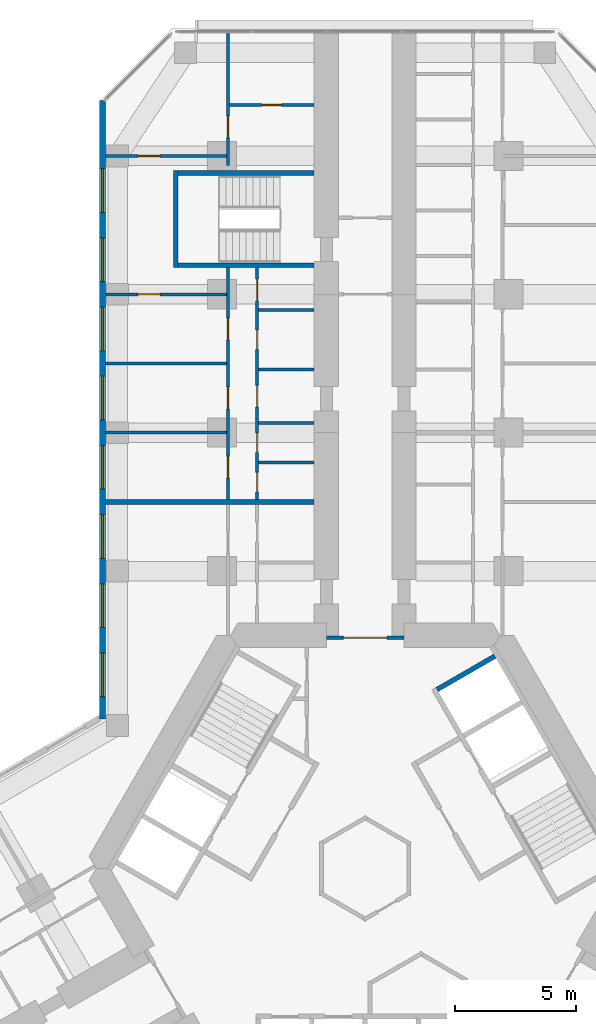
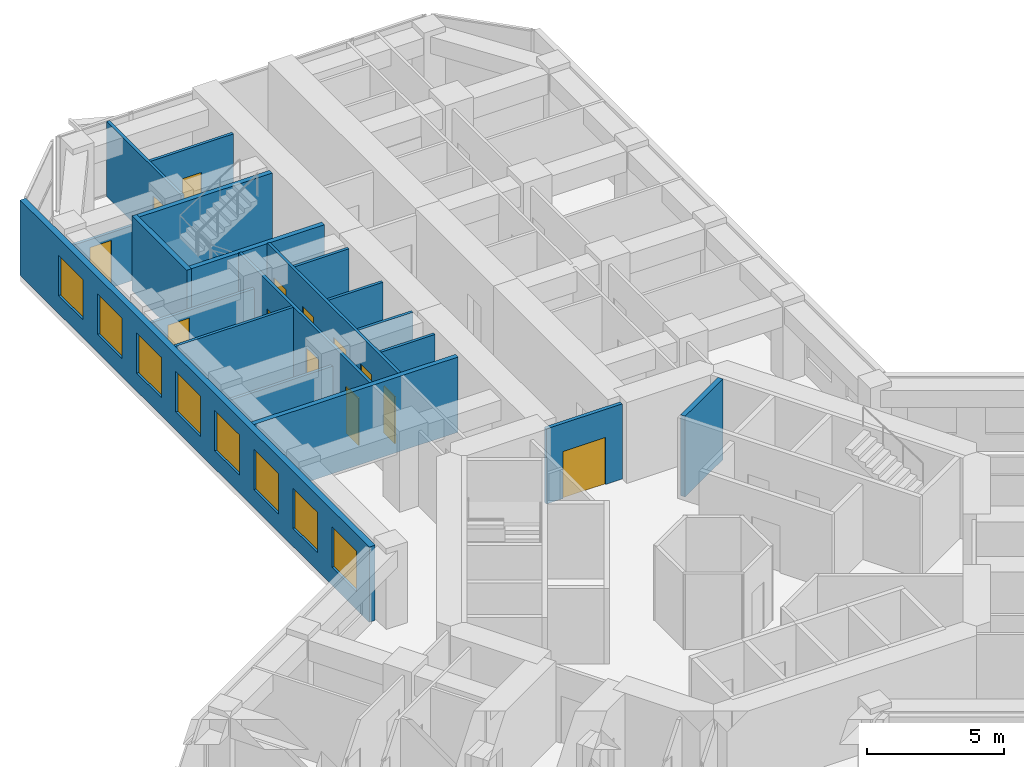
# One storey, part 18 of 22: 19 walls, 13 doors, 8 windows, 21 openings.
"""IFC4 building model written with IfcOpenShell, lengths in metres."""

from ifc_helpers import new_model, si_unit, direction, frame, frame_2d, origin, place, context, subcontext, project, spatial, rectangle, extrude, material, layer, layer_set, type_object, element, fill, save


model = new_model("IFC4")

# Units and contexts
model_context = context("Model", 3, precision=1e-05, world=origin(), true_north=direction((0.0, 1.0)))
body_context = subcontext(model_context, "Body", "Model", "MODEL_VIEW")
ifc_project = project(units=[si_unit("LENGTHUNIT", "METRE"), si_unit("AREAUNIT", "SQUARE_METRE"), si_unit("VOLUMEUNIT", "CUBIC_METRE"), si_unit("PLANEANGLEUNIT", "RADIAN"), si_unit("MASSUNIT", "GRAM", prefix="KILO")], contexts=[model_context])

# Site, building, storey
site_placement = place(None, origin())
site = spatial("IfcSite", under=ifc_project, at=site_placement, CompositionType="ELEMENT")
building_placement = place(site_placement, origin())
building = spatial("IfcBuilding", under=site, at=building_placement, Name="Kosmar Iwan School Tower", CompositionType="ELEMENT")
storey_placement = place(building_placement, frame((0.0, 0.0, 91.60009765625)))
storey = spatial("IfcBuildingStorey", under=building, at=storey_placement, Name="L22", CompositionType="ELEMENT", Elevation=91.60009765625)

# Wall, opening, door
ifc_material_1 = material(Name="Steel framed glazed screen", Category="steel")
ifc_layer_1 = layer(ifc_material_1, 0.14990234375)
ifc_layer_set_1 = layer_set([ifc_layer_1], Name="Corridor screen wall 150")
wall_type_1 = type_object("IfcWallType", Name="Corridor screen wall 150", PredefinedType="PARTITIONING", material=ifc_layer_set_1)
wall_1_placement = place(storey_placement, frame((1.60009765625, 9.5, 0.0), z_axis=(0.0, 0.0, 1.0), x_axis=(-1.0, 0.0, 0.0)))
wall_1 = element("IfcWall", 1, at=wall_1_placement, inside=storey, type_object=wall_type_1, Name="Corridor screen A L22", PredefinedType="PARTITIONING", context=body_context, shape_type="SweptSolid", body=[
    extrude(rectangle(XDim=3.2001953125, YDim=0.14990234375, at=frame_2d((1.60009765625, 0.0))), origin(), (0.0, 0.0, 1.0), 3.349853515625),
])
opening_1_placement = place(wall_1_placement, frame((0.699951171875, 0.0, 0.0)))
opening_1 = element("IfcOpeningElement", 2, at=opening_1_placement, cuts=wall_1, Name="Opening D9", PredefinedType="OPENING", context=body_context, shape_type="SweptSolid", body=[
    extrude(rectangle(XDim=1.800048828125, YDim=2.10009765625, at=frame_2d((0.89990234375, 1.050048828125))), frame((0.0, 0.0869140625, 0.0), z_axis=(0.0, -1.0, 0.0), x_axis=(1.0, 0.0, 0.0)), (0.0, 0.0, 1.0), 0.173828125),
])
ifc_material_2 = material(Name="Steel framed glazed smoke door", Category="steel")
door_type_1 = type_object("IfcDoorType", Name="Corridor smoke door pair 1800x2100", OperationType="DOUBLE_DOOR_DOUBLE_SWING", PredefinedType="DOOR", material=ifc_material_2)
door_1_placement = place(opening_1_placement, origin())
door_1 = element("IfcDoor", 3, at=door_1_placement, inside=storey, type_object=door_type_1, Name="Corridor doors A L22", OperationType="DOUBLE_DOOR_DOUBLE_SWING", OverallHeight=2.10009765625, OverallWidth=1.800048828125, PredefinedType="DOOR", context=body_context, shape_type="SweptSolid", body=[
    extrude(rectangle(XDim=1.800048828125, YDim=2.10009765625, at=frame_2d((0.89990234375, 1.050048828125))), frame((0.0, 0.02490234375, 0.0), z_axis=(0.0, -1.0, 0.0), x_axis=(1.0, 0.0, 0.0)), (0.0, 0.0, 1.0), 0.050048828125),
])
fill(opening_1, door_1)

# Wall, openings, doors
ifc_material_3 = material(Name="Gypsum board on steel studs", Category="steel")
ifc_layer_2 = layer(ifc_material_3, 0.1201171875)
ifc_layer_set_2 = layer_set([ifc_layer_2], Name="Dwelling partition 120")
wall_type_2 = type_object("IfcWallType", Name="Dwelling partition 120", PredefinedType="PARTITIONING", material=ifc_layer_set_2)
wall_2_placement = place(storey_placement, frame((-4.449951171875, 15.199951171875, 0.0), z_axis=(0.0, 0.0, 1.0), x_axis=(0.0, 1.0, 0.0)))
wall_2 = element("IfcWall", 4, at=wall_2_placement, inside=storey, type_object=wall_type_2, Name="Partition L22-AL2-W1", PredefinedType="PARTITIONING", context=body_context, shape_type="SweptSolid", body=[
    extrude(rectangle(XDim=9.550048828125, YDim=0.1201171875, at=frame_2d((4.77490234375, 0.0))), origin(), (0.0, 0.0, 1.0), 3.349853515625),
])
opening_2_placement = place(wall_2_placement, frame((0.3125, 0.0, 0.0)))
opening_2 = element("IfcOpeningElement", 5, at=opening_2_placement, cuts=wall_2, Name="Opening D3", PredefinedType="OPENING", context=body_context, shape_type="SweptSolid", body=[
    extrude(rectangle(XDim=0.800048828125, YDim=2.10009765625, at=frame_2d((0.39990234375, 1.050048828125))), frame((0.0, 0.072021484375, 0.0), z_axis=(0.0, -1.0, 0.0), x_axis=(1.0, 0.0, 0.0)), (0.0, 0.0, 1.0), 0.14404296875),
])
opening_3_placement = place(wall_2_placement, frame((1.9375, 0.0, 0.0)))
opening_3 = element("IfcOpeningElement", 6, at=opening_3_placement, cuts=wall_2, Name="Opening D3", PredefinedType="OPENING", context=body_context, shape_type="SweptSolid", body=[
    extrude(rectangle(XDim=0.800048828125, YDim=2.10009765625, at=frame_2d((0.39990234375, 1.050048828125))), frame((0.0, 0.072021484375, 0.0), z_axis=(0.0, -1.0, 0.0), x_axis=(1.0, 0.0, 0.0)), (0.0, 0.0, 1.0), 0.14404296875),
])
opening_4_placement = place(wall_2_placement, frame((3.800048828125, 0.0, 0.0)))
opening_4 = element("IfcOpeningElement", 7, at=opening_4_placement, cuts=wall_2, Name="Opening D2", PredefinedType="OPENING", context=body_context, shape_type="SweptSolid", body=[
    extrude(rectangle(XDim=0.89990234375, YDim=2.10009765625, at=frame_2d((0.449951171875, 1.050048828125))), frame((0.0, 0.072021484375, 0.0), z_axis=(0.0, -1.0, 0.0), x_axis=(1.0, 0.0, 0.0)), (0.0, 0.0, 1.0), 0.14404296875),
])
opening_5_placement = place(wall_2_placement, frame((6.179931640625, 0.0, 0.0)))
opening_5 = element("IfcOpeningElement", 8, at=opening_5_placement, cuts=wall_2, Name="Opening D3", PredefinedType="OPENING", context=body_context, shape_type="SweptSolid", body=[
    extrude(rectangle(XDim=0.800048828125, YDim=2.10009765625, at=frame_2d((0.39990234375, 1.050048828125))), frame((0.0, 0.072021484375, 0.0), z_axis=(0.0, -1.0, 0.0), x_axis=(1.0, 0.0, 0.0)), (0.0, 0.0, 1.0), 0.14404296875),
])
opening_6_placement = place(wall_2_placement, frame((8.179931640625, 0.0, 0.0)))
opening_6 = element("IfcOpeningElement", 9, at=opening_6_placement, cuts=wall_2, Name="Opening D2", PredefinedType="OPENING", context=body_context, shape_type="SweptSolid", body=[
    extrude(rectangle(XDim=0.89990234375, YDim=2.10009765625, at=frame_2d((0.449951171875, 1.050048828125))), frame((0.0, 0.072021484375, 0.0), z_axis=(0.0, -1.0, 0.0), x_axis=(1.0, 0.0, 0.0)), (0.0, 0.0, 1.0), 0.14404296875),
])
ifc_material_4 = material(Name="Timber door in timber frame", Category="wood")
door_type_2 = type_object("IfcDoorType", Name="Internal door 900x2100", OperationType="SINGLE_SWING_LEFT", PredefinedType="DOOR", material=ifc_material_4)
door_2_placement = place(opening_4_placement, origin())
door_2 = element("IfcDoor", 10, at=door_2_placement, inside=storey, type_object=door_type_2, Name="Entrance hall door L22-AL2-S3", OperationType="SINGLE_SWING_LEFT", OverallHeight=2.10009765625, OverallWidth=0.89990234375, PredefinedType="DOOR", context=body_context, shape_type="SweptSolid", body=[
    extrude(rectangle(XDim=0.89990234375, YDim=2.10009765625, at=frame_2d((0.449951171875, 1.050048828125))), frame((0.0, 0.02490234375, 0.0), z_axis=(0.0, -1.0, 0.0), x_axis=(1.0, 0.0, 0.0)), (0.0, 0.0, 1.0), 0.050048828125),
])
fill(opening_4, door_2)
door_3_placement = place(opening_6_placement, frame((0.89990234375, 0.0, 0.0), z_axis=(0.0, 0.0, 1.0), x_axis=(-1.0, 0.0, 0.0)))
door_3 = element("IfcDoor", 11, at=door_3_placement, inside=storey, type_object=door_type_2, Name="Pantry door L22-AL2-S5", OperationType="SINGLE_SWING_LEFT", OverallHeight=2.10009765625, OverallWidth=0.89990234375, PredefinedType="DOOR", context=body_context, shape_type="SweptSolid", body=[
    extrude(rectangle(XDim=0.89990234375, YDim=2.10009765625, at=frame_2d((0.449951171875, 1.050048828125))), frame((0.0, 0.02490234375, 0.0), z_axis=(0.0, -1.0, 0.0), x_axis=(1.0, 0.0, 0.0)), (0.0, 0.0, 1.0), 0.050048828125),
])
fill(opening_6, door_3)
ifc_material_5 = material(Name="Timber door in timber frame", Category="wood")
door_type_3 = type_object("IfcDoorType", Name="Sanitary room door 800x2100", OperationType="SINGLE_SWING_LEFT", PredefinedType="DOOR", material=ifc_material_5)
door_4_placement = place(opening_2_placement, origin())
door_4 = element("IfcDoor", 12, at=door_4_placement, inside=storey, type_object=door_type_3, Name="WC door L22-AL2-S1", OperationType="SINGLE_SWING_LEFT", OverallHeight=2.10009765625, OverallWidth=0.800048828125, PredefinedType="DOOR", context=body_context, shape_type="SweptSolid", body=[
    extrude(rectangle(XDim=0.800048828125, YDim=2.10009765625, at=frame_2d((0.39990234375, 1.050048828125))), frame((0.0, 0.02490234375, 0.0), z_axis=(0.0, -1.0, 0.0), x_axis=(1.0, 0.0, 0.0)), (0.0, 0.0, 1.0), 0.050048828125),
])
fill(opening_2, door_4)
door_5_placement = place(opening_3_placement, origin())
door_5 = element("IfcDoor", 13, at=door_5_placement, inside=storey, type_object=door_type_3, Name="Shower room door L22-AL2-S2", OperationType="SINGLE_SWING_LEFT", OverallHeight=2.10009765625, OverallWidth=0.800048828125, PredefinedType="DOOR", context=body_context, shape_type="SweptSolid", body=[
    extrude(rectangle(XDim=0.800048828125, YDim=2.10009765625, at=frame_2d((0.39990234375, 1.050048828125))), frame((0.0, 0.02490234375, 0.0), z_axis=(0.0, -1.0, 0.0), x_axis=(1.0, 0.0, 0.0)), (0.0, 0.0, 1.0), 0.050048828125),
])
fill(opening_3, door_5)
door_6_placement = place(opening_5_placement, origin())
door_6 = element("IfcDoor", 14, at=door_6_placement, inside=storey, type_object=door_type_3, Name="Bathroom door L22-AL2-S4", OperationType="SINGLE_SWING_RIGHT", OverallHeight=2.10009765625, OverallWidth=0.800048828125, PredefinedType="DOOR", context=body_context, shape_type="SweptSolid", body=[
    extrude(rectangle(XDim=0.800048828125, YDim=2.10009765625, at=frame_2d((0.39990234375, 1.050048828125))), frame((0.0, 0.02490234375, 0.0), z_axis=(0.0, -1.0, 0.0), x_axis=(1.0, 0.0, 0.0)), (0.0, 0.0, 1.0), 0.050048828125),
])
fill(opening_5, door_6)

wall_3_placement = place(storey_placement, frame((-5.64990234375, 15.199951171875, 0.0), z_axis=(0.0, 0.0, 1.0), x_axis=(0.0, 1.0, 0.0)))
wall_3 = element("IfcWall", 15, at=wall_3_placement, inside=storey, type_object=wall_type_2, Name="Partition L22-AL2-W2", PredefinedType="PARTITIONING", context=body_context, shape_type="SweptSolid", body=[
    extrude(rectangle(XDim=9.550048828125, YDim=0.1201171875, at=frame_2d((4.77490234375, 0.0))), origin(), (0.0, 0.0, 1.0), 3.349853515625),
])
opening_7_placement = place(wall_3_placement, frame((0.875, 0.0, 0.0)))
opening_7 = element("IfcOpeningElement", 16, at=opening_7_placement, cuts=wall_3, Name="Opening D2", PredefinedType="OPENING", context=body_context, shape_type="SweptSolid", body=[
    extrude(rectangle(XDim=0.89990234375, YDim=2.10009765625, at=frame_2d((0.449951171875, 1.050048828125))), frame((0.0, 0.072021484375, 0.0), z_axis=(0.0, -1.0, 0.0), x_axis=(1.0, 0.0, 0.0)), (0.0, 0.0, 1.0), 0.14404296875),
])
opening_8_placement = place(wall_3_placement, frame((3.72509765625, 0.0, 0.0)))
opening_8 = element("IfcOpeningElement", 17, at=opening_8_placement, cuts=wall_3, Name="Opening D2", PredefinedType="OPENING", context=body_context, shape_type="SweptSolid", body=[
    extrude(rectangle(XDim=0.89990234375, YDim=2.10009765625, at=frame_2d((0.449951171875, 1.050048828125))), frame((0.0, 0.072021484375, 0.0), z_axis=(0.0, -1.0, 0.0), x_axis=(1.0, 0.0, 0.0)), (0.0, 0.0, 1.0), 0.14404296875),
])
opening_9_placement = place(wall_3_placement, frame((6.574951171875, 0.0, 0.0)))
opening_9 = element("IfcOpeningElement", 18, at=opening_9_placement, cuts=wall_3, Name="Opening D2", PredefinedType="OPENING", context=body_context, shape_type="SweptSolid", body=[
    extrude(rectangle(XDim=0.89990234375, YDim=2.10009765625, at=frame_2d((0.449951171875, 1.050048828125))), frame((0.0, 0.072021484375, 0.0), z_axis=(0.0, -1.0, 0.0), x_axis=(1.0, 0.0, 0.0)), (0.0, 0.0, 1.0), 0.14404296875),
])
door_7_placement = place(opening_7_placement, origin())
door_7 = element("IfcDoor", 19, at=door_7_placement, inside=storey, type_object=door_type_2, Name="Bedroom 1 door L22-AL2-F1", OperationType="SINGLE_SWING_LEFT", OverallHeight=2.10009765625, OverallWidth=0.89990234375, PredefinedType="DOOR", context=body_context, shape_type="SweptSolid", body=[
    extrude(rectangle(XDim=0.89990234375, YDim=2.10009765625, at=frame_2d((0.449951171875, 1.050048828125))), frame((0.0, 0.02490234375, 0.0), z_axis=(0.0, -1.0, 0.0), x_axis=(1.0, 0.0, 0.0)), (0.0, 0.0, 1.0), 0.050048828125),
])
fill(opening_7, door_7)
door_8_placement = place(opening_8_placement, origin())
door_8 = element("IfcDoor", 20, at=door_8_placement, inside=storey, type_object=door_type_2, Name="Living room and kitchen door L22-AL2-F2", OperationType="SINGLE_SWING_RIGHT", OverallHeight=2.10009765625, OverallWidth=0.89990234375, PredefinedType="DOOR", context=body_context, shape_type="SweptSolid", body=[
    extrude(rectangle(XDim=0.89990234375, YDim=2.10009765625, at=frame_2d((0.449951171875, 1.050048828125))), frame((0.0, 0.02490234375, 0.0), z_axis=(0.0, -1.0, 0.0), x_axis=(1.0, 0.0, 0.0)), (0.0, 0.0, 1.0), 0.050048828125),
])
fill(opening_8, door_8)
door_9_placement = place(opening_9_placement, origin())
door_9 = element("IfcDoor", 21, at=door_9_placement, inside=storey, type_object=door_type_2, Name="Bedroom 2 door L22-AL2-F3", OperationType="SINGLE_SWING_LEFT", OverallHeight=2.10009765625, OverallWidth=0.89990234375, PredefinedType="DOOR", context=body_context, shape_type="SweptSolid", body=[
    extrude(rectangle(XDim=0.89990234375, YDim=2.10009765625, at=frame_2d((0.449951171875, 1.050048828125))), frame((0.0, 0.02490234375, 0.0), z_axis=(0.0, -1.0, 0.0), x_axis=(1.0, 0.0, 0.0)), (0.0, 0.0, 1.0), 0.050048828125),
])
fill(opening_9, door_9)

# Walls
wall_4_placement = place(storey_placement, frame((-5.7099609375, 17.949951171875, 0.0), z_axis=(0.0, 0.0, 1.0), x_axis=(-1.0, 0.0, 0.0)))
element("IfcWall", 22, at=wall_4_placement, inside=storey, type_object=wall_type_2, Name="Partition L22-AL2-X1", PredefinedType="PARTITIONING", context=body_context, shape_type="SweptSolid", body=[
    extrude(rectangle(XDim=4.989990234375, YDim=0.1201171875, at=frame_2d((2.4951171875, 0.0))), origin(), (0.0, 0.0, 1.0), 2.449951171875),
])
wall_5_placement = place(storey_placement, frame((-5.7099609375, 20.800048828125, 0.0), z_axis=(0.0, 0.0, 1.0), x_axis=(-1.0, 0.0, 0.0)))
element("IfcWall", 23, at=wall_5_placement, inside=storey, type_object=wall_type_2, Name="Partition L22-AL2-X2", PredefinedType="PARTITIONING", context=body_context, shape_type="SweptSolid", body=[
    extrude(rectangle(XDim=4.989990234375, YDim=0.1201171875, at=frame_2d((2.4951171875, 0.0))), origin(), (0.0, 0.0, 1.0), 3.349853515625),
])
for number, where, z_axis, x_axis, name in (
    (24, (-2.10009765625, 16.72509765625, 0.0), (0.0, 0.0, 1.0), (-1.0, 0.0, 0.0), "Partition L22-AL2-Y1"),
    (25, (-2.10009765625, 18.35009765625, 0.0), (0.0, 0.0, 1.0), (-1.0, 0.0, 0.0), "Partition L22-AL2-Y2"),
    (26, (-2.10009765625, 20.550048828125, 0.0), (0.0, 0.0, 1.0), (-1.0, 0.0, 0.0), "Partition L22-AL2-Y3"),
    (27, (-2.10009765625, 23.010009765625, 0.0), (0.0, 0.0, 1.0), (-1.0, 0.0, 0.0), "Partition L22-AL2-Y4"),
):
    element("IfcWall", number, at=place(storey_placement, frame(where, z_axis=z_axis, x_axis=x_axis)), inside=storey, type_object=wall_type_2, Name=name, PredefinedType="PARTITIONING", context=body_context, shape_type="SweptSolid", body=[
        extrude(rectangle(XDim=2.289794921875, YDim=0.1201171875, at=frame_2d((1.14501953125, 0.0))), origin(), (0.0, 0.0, 1.0), 3.349853515625),
    ])

# Wall, opening, door
wall_6_placement = place(storey_placement, frame((-5.7099609375, 23.64990234375, 0.0), z_axis=(0.0, 0.0, 1.0), x_axis=(-1.0, 0.0, 0.0)))
wall_6 = element("IfcWall", 28, at=wall_6_placement, inside=storey, type_object=wall_type_2, Name="Partition L22-AL2-TB", PredefinedType="PARTITIONING", context=body_context, shape_type="SweptSolid", body=[
    extrude(rectangle(XDim=4.989990234375, YDim=0.1201171875, at=frame_2d((2.4951171875, 0.0))), origin(), (0.0, 0.0, 1.0), 2.449951171875),
])
opening_10_placement = place(wall_6_placement, frame((2.739990234375, 0.0, 0.0)))
opening_10 = element("IfcOpeningElement", 29, at=opening_10_placement, cuts=wall_6, Name="Opening D2", PredefinedType="OPENING", context=body_context, shape_type="SweptSolid", body=[
    extrude(rectangle(XDim=0.89990234375, YDim=2.10009765625, at=frame_2d((0.449951171875, 1.050048828125))), frame((0.0, 0.072021484375, 0.0), z_axis=(0.0, -1.0, 0.0), x_axis=(1.0, 0.0, 0.0)), (0.0, 0.0, 1.0), 0.14404296875),
])
door_10_placement = place(opening_10_placement, origin())
door_10 = element("IfcDoor", 30, at=door_10_placement, inside=storey, type_object=door_type_2, Name="Study door L22-AL2-F3", OperationType="SINGLE_SWING_RIGHT", OverallHeight=2.10009765625, OverallWidth=0.89990234375, PredefinedType="DOOR", context=body_context, shape_type="SweptSolid", body=[
    extrude(rectangle(XDim=0.89990234375, YDim=2.10009765625, at=frame_2d((0.449951171875, 1.050048828125))), frame((0.0, 0.02490234375, 0.0), z_axis=(0.0, -1.0, 0.0), x_axis=(1.0, 0.0, 0.0)), (0.0, 0.0, 1.0), 0.050048828125),
])
fill(opening_10, door_10)

wall_7_placement = place(storey_placement, frame((-5.7099609375, 29.35009765625, 0.0), z_axis=(0.0, 0.0, 1.0), x_axis=(-1.0, 0.0, 0.0)))
wall_7 = element("IfcWall", 31, at=wall_7_placement, inside=storey, type_object=wall_type_2, Name="Partition L22-AL2-TX", PredefinedType="PARTITIONING", context=body_context, shape_type="SweptSolid", body=[
    extrude(rectangle(XDim=4.989990234375, YDim=0.1201171875, at=frame_2d((2.4951171875, 0.0))), origin(), (0.0, 0.0, 1.0), 2.449951171875),
])
opening_11_placement = place(wall_7_placement, frame((2.739990234375, 0.0, 0.0)))
opening_11 = element("IfcOpeningElement", 32, at=opening_11_placement, cuts=wall_7, Name="Opening D2", PredefinedType="OPENING", context=body_context, shape_type="SweptSolid", body=[
    extrude(rectangle(XDim=0.89990234375, YDim=2.10009765625, at=frame_2d((0.449951171875, 1.050048828125))), frame((0.0, 0.072021484375, 0.0), z_axis=(0.0, -1.0, 0.0), x_axis=(1.0, 0.0, 0.0)), (0.0, 0.0, 1.0), 0.14404296875),
])
door_11_placement = place(opening_11_placement, origin())
door_11 = element("IfcDoor", 33, at=door_11_placement, inside=storey, type_object=door_type_2, Name="Study door L22-AL2-T1", OperationType="SINGLE_SWING_RIGHT", OverallHeight=2.10009765625, OverallWidth=0.89990234375, PredefinedType="DOOR", context=body_context, shape_type="SweptSolid", body=[
    extrude(rectangle(XDim=0.89990234375, YDim=2.10009765625, at=frame_2d((0.449951171875, 1.050048828125))), frame((0.0, 0.02490234375, 0.0), z_axis=(0.0, -1.0, 0.0), x_axis=(1.0, 0.0, 0.0)), (0.0, 0.0, 1.0), 0.050048828125),
])
fill(opening_11, door_11)

wall_8_placement = place(storey_placement, frame((-5.64990234375, 28.949951171875, 0.0), z_axis=(0.0, 0.0, 1.0), x_axis=(0.0, 1.0, 0.0)))
wall_8 = element("IfcWall", 34, at=wall_8_placement, inside=storey, type_object=wall_type_2, Name="Partition L22-AL2-TW", PredefinedType="PARTITIONING", context=body_context, shape_type="SweptSolid", body=[
    extrude(rectangle(XDim=5.445068359375, YDim=0.1201171875, at=frame_2d((2.72265625, 0.0))), origin(), (0.0, 0.0, 1.0), 3.349853515625),
])
opening_12_placement = place(wall_8_placement, frame((1.14990234375, 0.0, 0.0)))
opening_12 = element("IfcOpeningElement", 35, at=opening_12_placement, cuts=wall_8, Name="Opening D2", PredefinedType="OPENING", context=body_context, shape_type="SweptSolid", body=[
    extrude(rectangle(XDim=0.89990234375, YDim=2.10009765625, at=frame_2d((0.449951171875, 1.050048828125))), frame((0.0, 0.072021484375, 0.0), z_axis=(0.0, -1.0, 0.0), x_axis=(1.0, 0.0, 0.0)), (0.0, 0.0, 1.0), 0.14404296875),
])
door_12_placement = place(opening_12_placement, origin())
door_12 = element("IfcDoor", 36, at=door_12_placement, inside=storey, type_object=door_type_2, Name="Dressing room door L22-AL2-T3", OperationType="SINGLE_SWING_LEFT", OverallHeight=2.10009765625, OverallWidth=0.89990234375, PredefinedType="DOOR", context=body_context, shape_type="SweptSolid", body=[
    extrude(rectangle(XDim=0.89990234375, YDim=2.10009765625, at=frame_2d((0.449951171875, 1.050048828125))), frame((0.0, 0.02490234375, 0.0), z_axis=(0.0, -1.0, 0.0), x_axis=(1.0, 0.0, 0.0)), (0.0, 0.0, 1.0), 0.050048828125),
])
fill(opening_12, door_12)

wall_9_placement = place(storey_placement, frame((-2.10009765625, 31.449951171875, 0.0), z_axis=(0.0, 0.0, 1.0), x_axis=(-1.0, 0.0, 0.0)))
wall_9 = element("IfcWall", 37, at=wall_9_placement, inside=storey, type_object=wall_type_2, Name="Partition L22-AL2-TY", PredefinedType="PARTITIONING", context=body_context, shape_type="SweptSolid", body=[
    extrude(rectangle(XDim=3.489990234375, YDim=0.1201171875, at=frame_2d((1.7451171875, 0.0))), origin(), (0.0, 0.0, 1.0), 3.349853515625),
])
opening_13_placement = place(wall_9_placement, frame((1.344970703125, 0.0, 0.0)))
opening_13 = element("IfcOpeningElement", 38, at=opening_13_placement, cuts=wall_9, Name="Opening D3", PredefinedType="OPENING", context=body_context, shape_type="SweptSolid", body=[
    extrude(rectangle(XDim=0.800048828125, YDim=2.10009765625, at=frame_2d((0.39990234375, 1.050048828125))), frame((0.0, 0.072021484375, 0.0), z_axis=(0.0, -1.0, 0.0), x_axis=(1.0, 0.0, 0.0)), (0.0, 0.0, 1.0), 0.14404296875),
])
door_13_placement = place(opening_13_placement, origin())
door_13 = element("IfcDoor", 39, at=door_13_placement, inside=storey, type_object=door_type_3, Name="Shower room door L22-AL2-T4", OperationType="SINGLE_SWING_RIGHT", OverallHeight=2.10009765625, OverallWidth=0.800048828125, PredefinedType="DOOR", context=body_context, shape_type="SweptSolid", body=[
    extrude(rectangle(XDim=0.800048828125, YDim=2.10009765625, at=frame_2d((0.39990234375, 1.050048828125))), frame((0.0, 0.02490234375, 0.0), z_axis=(0.0, -1.0, 0.0), x_axis=(1.0, 0.0, 0.0)), (0.0, 0.0, 1.0), 0.050048828125),
])
fill(opening_13, door_13)

# Walls
ifc_material_6 = material(Name="Concrete C35/45", Category="concrete")
ifc_layer_3 = layer(ifc_material_6, 0.199951171875)
ifc_layer_set_3 = layer_set([ifc_layer_3], Name="Escape stair wall 200")
wall_type_3 = type_object("IfcWallType", Name="Escape stair wall 200", PredefinedType="SHEAR", material=ifc_layer_set_3)
for number, where, z_axis, x_axis, name in (
    (40, (-2.10009765625, 24.85009765625, 0.0), (0.0, 0.0, 1.0), (-1.0, 0.0, 0.0), "Stair WS1 wall"),
    (41, (-2.10009765625, 28.64990234375, 0.0), (0.0, 0.0, 1.0), (-1.0, 0.0, 0.0), "Stair WS1 wall"),
):
    element("IfcWall", number, at=place(storey_placement, frame(where, z_axis=z_axis, x_axis=x_axis)), inside=storey, type_object=wall_type_3, Name=name, PredefinedType="SHEAR", context=body_context, shape_type="SweptSolid", body=[
        extrude(rectangle(XDim=5.7998046875, YDim=0.199951171875, at=frame_2d((2.89990234375, 0.0))), origin(), (0.0, 0.0, 1.0), 3.329833984375),
    ])
wall_10_placement = place(storey_placement, frame((-7.800048828125, 24.75, 0.0), z_axis=(0.0, 0.0, 1.0), x_axis=(0.0, 1.0, 0.0)))
element("IfcWall", 42, at=wall_10_placement, inside=storey, type_object=wall_type_3, Name="Stair WS1 wall", PredefinedType="SHEAR", context=body_context, shape_type="SweptSolid", body=[
    extrude(rectangle(XDim=4.0, YDim=0.199951171875, at=frame_2d((2.0, 0.0))), origin(), (0.0, 0.0, 1.0), 3.329833984375),
])

# Wall, openings, windows
ifc_material_7 = material(Name="Black aluminium rainscreen on insulated framing", Category="aluminium")
ifc_layer_4 = layer(ifc_material_7, 0.25)
ifc_layer_set_4 = layer_set([ifc_layer_4], Name="External wall rainscreen 250")
wall_type_4 = type_object("IfcWallType", Name="External wall rainscreen 250", PredefinedType="SOLIDWALL", material=ifc_layer_set_4)
wall_11_placement = place(storey_placement, frame((-10.824951171875, 6.14794921875, 0.0), z_axis=(0.0, 0.0, 1.0), x_axis=(0.0, 1.0, 0.0)))
wall_11 = element("IfcWall", 43, at=wall_11_placement, inside=storey, type_object=wall_type_4, Name="External wall AL L22", PredefinedType="SOLIDWALL", context=body_context, shape_type="SweptSolid", body=[
    extrude(rectangle(XDim=25.4873046875, YDim=0.25, at=frame_2d((12.74365234375, 0.0))), origin(), (0.0, 0.0, 1.0), 3.349853515625),
])
opening_14_placement = place(wall_11_placement, frame((0.927001953125, 0.0, 0.800048828125)))
opening_14 = element("IfcOpeningElement", 44, at=opening_14_placement, cuts=wall_11, Name="Opening W1", PredefinedType="OPENING", context=body_context, shape_type="SweptSolid", body=[
    extrude(rectangle(XDim=1.800048828125, YDim=1.800048828125, at=frame_2d((0.89990234375, 0.89990234375))), frame((0.0, 0.136962890625, 0.0), z_axis=(0.0, -1.0, 0.0), x_axis=(1.0, 0.0, 0.0)), (0.0, 0.0, 1.0), 0.27392578125),
])
opening_15_placement = place(wall_11_placement, frame((3.777099609375, 0.0, 0.800048828125)))
opening_15 = element("IfcOpeningElement", 45, at=opening_15_placement, cuts=wall_11, Name="Opening W1", PredefinedType="OPENING", context=body_context, shape_type="SweptSolid", body=[
    extrude(rectangle(XDim=1.800048828125, YDim=1.800048828125, at=frame_2d((0.89990234375, 0.89990234375))), frame((0.0, 0.136962890625, 0.0), z_axis=(0.0, -1.0, 0.0), x_axis=(1.0, 0.0, 0.0)), (0.0, 0.0, 1.0), 0.27392578125),
])
opening_16_placement = place(wall_11_placement, frame((6.626953125, 0.0, 0.800048828125)))
opening_16 = element("IfcOpeningElement", 46, at=opening_16_placement, cuts=wall_11, Name="Opening W1", PredefinedType="OPENING", context=body_context, shape_type="SweptSolid", body=[
    extrude(rectangle(XDim=1.800048828125, YDim=1.800048828125, at=frame_2d((0.89990234375, 0.89990234375))), frame((0.0, 0.136962890625, 0.0), z_axis=(0.0, -1.0, 0.0), x_axis=(1.0, 0.0, 0.0)), (0.0, 0.0, 1.0), 0.27392578125),
])
opening_17_placement = place(wall_11_placement, frame((9.47705078125, 0.0, 0.800048828125)))
opening_17 = element("IfcOpeningElement", 47, at=opening_17_placement, cuts=wall_11, Name="Opening W1", PredefinedType="OPENING", context=body_context, shape_type="SweptSolid", body=[
    extrude(rectangle(XDim=1.800048828125, YDim=1.800048828125, at=frame_2d((0.89990234375, 0.89990234375))), frame((0.0, 0.136962890625, 0.0), z_axis=(0.0, -1.0, 0.0), x_axis=(1.0, 0.0, 0.0)), (0.0, 0.0, 1.0), 0.27392578125),
])
opening_18_placement = place(wall_11_placement, frame((12.326904296875, 0.0, 0.800048828125)))
opening_18 = element("IfcOpeningElement", 48, at=opening_18_placement, cuts=wall_11, Name="Opening W1", PredefinedType="OPENING", context=body_context, shape_type="SweptSolid", body=[
    extrude(rectangle(XDim=1.800048828125, YDim=1.800048828125, at=frame_2d((0.89990234375, 0.89990234375))), frame((0.0, 0.136962890625, 0.0), z_axis=(0.0, -1.0, 0.0), x_axis=(1.0, 0.0, 0.0)), (0.0, 0.0, 1.0), 0.27392578125),
])
opening_19_placement = place(wall_11_placement, frame((15.177001953125, 0.0, 0.800048828125)))
opening_19 = element("IfcOpeningElement", 49, at=opening_19_placement, cuts=wall_11, Name="Opening W1", PredefinedType="OPENING", context=body_context, shape_type="SweptSolid", body=[
    extrude(rectangle(XDim=1.800048828125, YDim=1.800048828125, at=frame_2d((0.89990234375, 0.89990234375))), frame((0.0, 0.136962890625, 0.0), z_axis=(0.0, -1.0, 0.0), x_axis=(1.0, 0.0, 0.0)), (0.0, 0.0, 1.0), 0.27392578125),
])
opening_20_placement = place(wall_11_placement, frame((18.027099609375, 0.0, 0.800048828125)))
opening_20 = element("IfcOpeningElement", 50, at=opening_20_placement, cuts=wall_11, Name="Opening W1", PredefinedType="OPENING", context=body_context, shape_type="SweptSolid", body=[
    extrude(rectangle(XDim=1.800048828125, YDim=1.800048828125, at=frame_2d((0.89990234375, 0.89990234375))), frame((0.0, 0.136962890625, 0.0), z_axis=(0.0, -1.0, 0.0), x_axis=(1.0, 0.0, 0.0)), (0.0, 0.0, 1.0), 0.27392578125),
])
opening_21_placement = place(wall_11_placement, frame((20.876953125, 0.0, 0.800048828125)))
opening_21 = element("IfcOpeningElement", 51, at=opening_21_placement, cuts=wall_11, Name="Opening W1", PredefinedType="OPENING", context=body_context, shape_type="SweptSolid", body=[
    extrude(rectangle(XDim=1.800048828125, YDim=1.800048828125, at=frame_2d((0.89990234375, 0.89990234375))), frame((0.0, 0.136962890625, 0.0), z_axis=(0.0, -1.0, 0.0), x_axis=(1.0, 0.0, 0.0)), (0.0, 0.0, 1.0), 0.27392578125),
])
ifc_material_8 = material(Name="Black aluminium frame with dark triple glazing", Category="aluminium")
window_type = type_object("IfcWindowType", Name="Window 1800x1800", PartitioningType="SINGLE_PANEL", PredefinedType="WINDOW", material=ifc_material_8)
window_1_placement = place(opening_14_placement, origin())
window_1 = element("IfcWindow", 52, at=window_1_placement, inside=storey, type_object=window_type, Name="Window AL L22 -1", OverallHeight=1.800048828125, OverallWidth=1.800048828125, PartitioningType="SINGLE_PANEL", PredefinedType="WINDOW", context=body_context, shape_type="SweptSolid", body=[
    extrude(rectangle(XDim=1.800048828125, YDim=1.800048828125, at=frame_2d((0.89990234375, 0.89990234375))), frame((0.0, 0.030029296875, 0.0), z_axis=(0.0, -1.0, 0.0), x_axis=(1.0, 0.0, 0.0)), (0.0, 0.0, 1.0), 0.06005859375),
])
fill(opening_14, window_1)
window_2_placement = place(opening_15_placement, origin())
window_2 = element("IfcWindow", 53, at=window_2_placement, inside=storey, type_object=window_type, Name="Window AL L22 0", OverallHeight=1.800048828125, OverallWidth=1.800048828125, PartitioningType="SINGLE_PANEL", PredefinedType="WINDOW", context=body_context, shape_type="SweptSolid", body=[
    extrude(rectangle(XDim=1.800048828125, YDim=1.800048828125, at=frame_2d((0.89990234375, 0.89990234375))), frame((0.0, 0.030029296875, 0.0), z_axis=(0.0, -1.0, 0.0), x_axis=(1.0, 0.0, 0.0)), (0.0, 0.0, 1.0), 0.06005859375),
])
fill(opening_15, window_2)
window_3_placement = place(opening_16_placement, origin())
window_3 = element("IfcWindow", 54, at=window_3_placement, inside=storey, type_object=window_type, Name="Window AL L22 1", OverallHeight=1.800048828125, OverallWidth=1.800048828125, PartitioningType="SINGLE_PANEL", PredefinedType="WINDOW", context=body_context, shape_type="SweptSolid", body=[
    extrude(rectangle(XDim=1.800048828125, YDim=1.800048828125, at=frame_2d((0.89990234375, 0.89990234375))), frame((0.0, 0.030029296875, 0.0), z_axis=(0.0, -1.0, 0.0), x_axis=(1.0, 0.0, 0.0)), (0.0, 0.0, 1.0), 0.06005859375),
])
fill(opening_16, window_3)
window_4_placement = place(opening_17_placement, origin())
window_4 = element("IfcWindow", 55, at=window_4_placement, inside=storey, type_object=window_type, Name="Window AL L22 2", OverallHeight=1.800048828125, OverallWidth=1.800048828125, PartitioningType="SINGLE_PANEL", PredefinedType="WINDOW", context=body_context, shape_type="SweptSolid", body=[
    extrude(rectangle(XDim=1.800048828125, YDim=1.800048828125, at=frame_2d((0.89990234375, 0.89990234375))), frame((0.0, 0.030029296875, 0.0), z_axis=(0.0, -1.0, 0.0), x_axis=(1.0, 0.0, 0.0)), (0.0, 0.0, 1.0), 0.06005859375),
])
fill(opening_17, window_4)
window_5_placement = place(opening_18_placement, origin())
window_5 = element("IfcWindow", 56, at=window_5_placement, inside=storey, type_object=window_type, Name="Window AL L22 3", OverallHeight=1.800048828125, OverallWidth=1.800048828125, PartitioningType="SINGLE_PANEL", PredefinedType="WINDOW", context=body_context, shape_type="SweptSolid", body=[
    extrude(rectangle(XDim=1.800048828125, YDim=1.800048828125, at=frame_2d((0.89990234375, 0.89990234375))), frame((0.0, 0.030029296875, 0.0), z_axis=(0.0, -1.0, 0.0), x_axis=(1.0, 0.0, 0.0)), (0.0, 0.0, 1.0), 0.06005859375),
])
fill(opening_18, window_5)
window_6_placement = place(opening_19_placement, origin())
window_6 = element("IfcWindow", 57, at=window_6_placement, inside=storey, type_object=window_type, Name="Window AL L22 4", OverallHeight=1.800048828125, OverallWidth=1.800048828125, PartitioningType="SINGLE_PANEL", PredefinedType="WINDOW", context=body_context, shape_type="SweptSolid", body=[
    extrude(rectangle(XDim=1.800048828125, YDim=1.800048828125, at=frame_2d((0.89990234375, 0.89990234375))), frame((0.0, 0.030029296875, 0.0), z_axis=(0.0, -1.0, 0.0), x_axis=(1.0, 0.0, 0.0)), (0.0, 0.0, 1.0), 0.06005859375),
])
fill(opening_19, window_6)
window_7_placement = place(opening_20_placement, origin())
window_7 = element("IfcWindow", 58, at=window_7_placement, inside=storey, type_object=window_type, Name="Window AL L22 5", OverallHeight=1.800048828125, OverallWidth=1.800048828125, PartitioningType="SINGLE_PANEL", PredefinedType="WINDOW", context=body_context, shape_type="SweptSolid", body=[
    extrude(rectangle(XDim=1.800048828125, YDim=1.800048828125, at=frame_2d((0.89990234375, 0.89990234375))), frame((0.0, 0.030029296875, 0.0), z_axis=(0.0, -1.0, 0.0), x_axis=(1.0, 0.0, 0.0)), (0.0, 0.0, 1.0), 0.06005859375),
])
fill(opening_20, window_7)
window_8_placement = place(opening_21_placement, origin())
window_8 = element("IfcWindow", 59, at=window_8_placement, inside=storey, type_object=window_type, Name="Window AL L22 6", OverallHeight=1.800048828125, OverallWidth=1.800048828125, PartitioningType="SINGLE_PANEL", PredefinedType="WINDOW", context=body_context, shape_type="SweptSolid", body=[
    extrude(rectangle(XDim=1.800048828125, YDim=1.800048828125, at=frame_2d((0.89990234375, 0.89990234375))), frame((0.0, 0.030029296875, 0.0), z_axis=(0.0, -1.0, 0.0), x_axis=(1.0, 0.0, 0.0)), (0.0, 0.0, 1.0), 0.06005859375),
])
fill(opening_21, window_8)

# Walls
ifc_material_9 = material(Name="Concrete C50/60", Category="concrete")
ifc_layer_5 = layer(ifc_material_9, 0.199951171875)
ifc_layer_set_5 = layer_set([ifc_layer_5], Name="Lift shaft wall 200")
wall_type_5 = type_object("IfcWallType", Name="Lift shaft wall 200", PredefinedType="SHEAR", material=ifc_layer_set_5)
wall_12_placement = place(storey_placement, frame((2.962646484375, 7.368408203125, 0.0), z_axis=(0.0, 0.0, 1.0), x_axis=(0.866027397988, 0.499996545922, 0.0)))
element("IfcWall", 60, at=wall_12_placement, inside=storey, type_object=wall_type_5, Name="Lift shaft wall AC 2", PredefinedType="SHEAR", context=body_context, shape_type="SweptSolid", body=[
    extrude(rectangle(XDim=2.75, YDim=0.199951171875, at=frame_2d((1.375, 0.0))), origin(), (0.0, 0.0, 1.0), 3.599853515625),
])
ifc_material_10 = material(Name="Concrete block masonry", Category="masonry")
ifc_layer_6 = layer(ifc_material_10, 0.199951171875)
ifc_layer_set_6 = layer_set([ifc_layer_6], Name="Party wall 200")
wall_type_6 = type_object("IfcWallType", Name="Party wall 200", PredefinedType="PARTITIONING", material=ifc_layer_set_6)
wall_13_placement = place(storey_placement, frame((-2.10009765625, 15.10009765625, 0.0), z_axis=(0.0, 0.0, 1.0), x_axis=(-1.0, 0.0, 0.0)))
element("IfcWall", 61, at=wall_13_placement, inside=storey, type_object=wall_type_6, Name="Partition L22-AL2-PW", PredefinedType="PARTITIONING", context=body_context, shape_type="SweptSolid", body=[
    extrude(rectangle(XDim=8.599853515625, YDim=0.199951171875, at=frame_2d((4.2998046875, 0.0))), origin(), (0.0, 0.0, 1.0), 3.349853515625),
])

save(model, "model.ifc")
